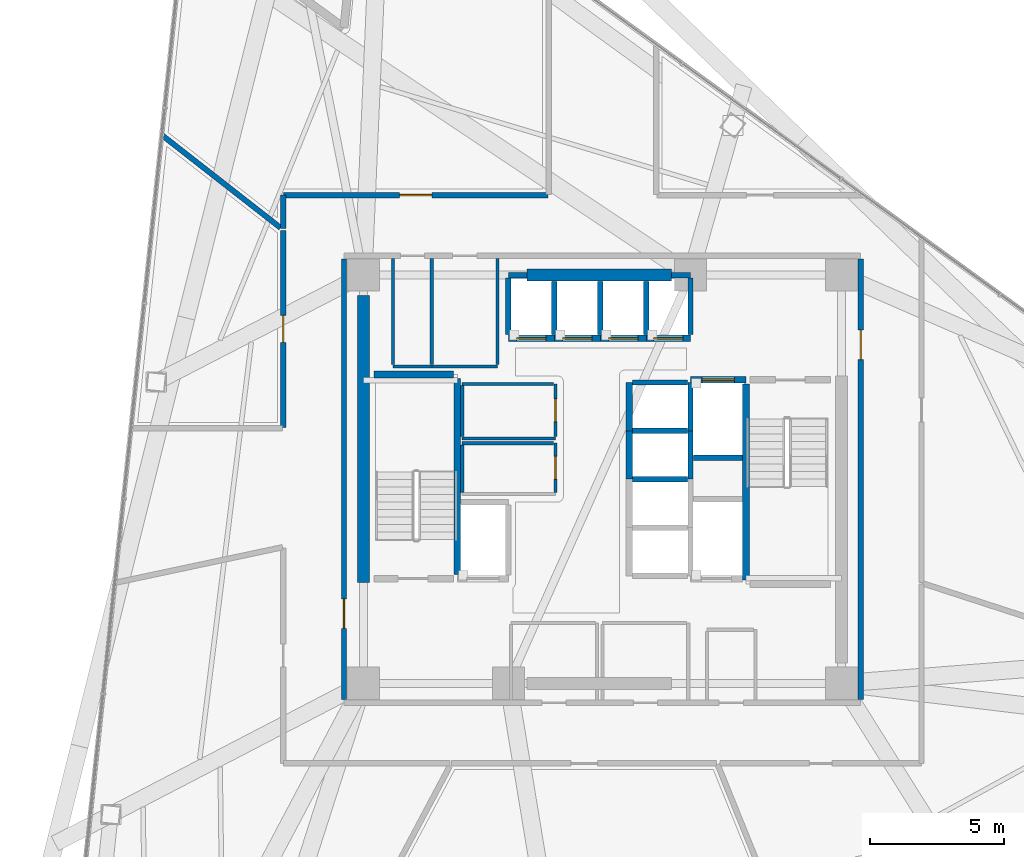
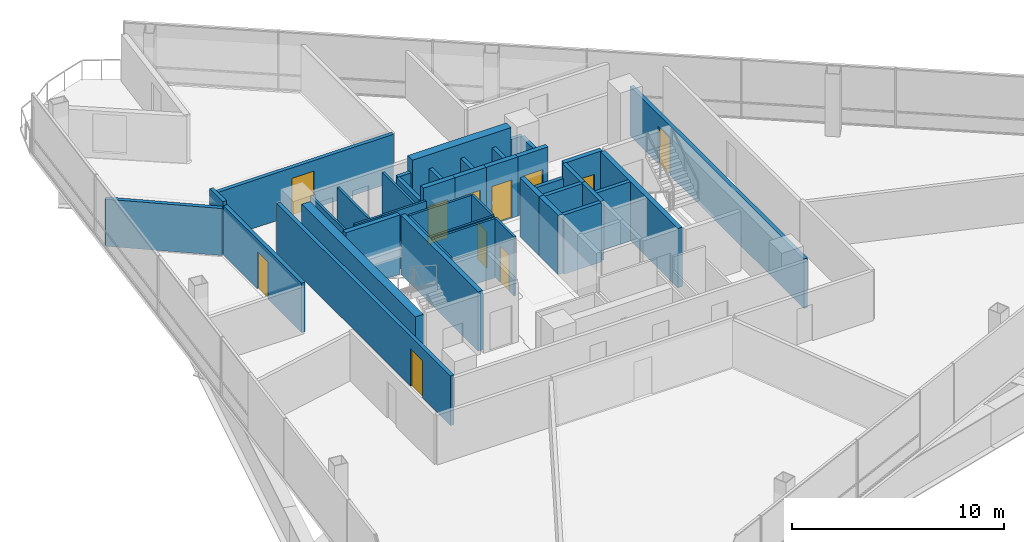
# One storey, part 12 of 17: 43 walls, 11 doors, 11 openings.
"""IFC4 building model written with IfcOpenShell, lengths in metres."""

from ifc_helpers import new_model, si_unit, direction, frame, frame_2d, origin, place, context, subcontext, project, spatial, rectangle, extrude, material, layer, layer_set, type_object, element, fill, save


model = new_model("IFC4")

# Units and contexts
model_context = context("Model", 3, precision=1e-05, world=origin(), true_north=direction((0.0, 1.0)))
body_context = subcontext(model_context, "Body", "Model", "MODEL_VIEW")
ifc_project = project(units=[si_unit("LENGTHUNIT", "METRE"), si_unit("AREAUNIT", "SQUARE_METRE"), si_unit("VOLUMEUNIT", "CUBIC_METRE"), si_unit("PLANEANGLEUNIT", "RADIAN"), si_unit("MASSUNIT", "GRAM", prefix="KILO")], contexts=[model_context])

# Site, building, storey
site_placement = place(None, origin())
site = spatial("IfcSite", under=ifc_project, at=site_placement, CompositionType="ELEMENT")
building_placement = place(site_placement, origin())
building = spatial("IfcBuilding", under=site, at=building_placement, Name="Tharavind Bronze Gate", CompositionType="ELEMENT")
storey_placement = place(building_placement, frame((0.0, 0.0, 112.449951171875)))
storey = spatial("IfcBuildingStorey", under=building, at=storey_placement, Name="L28", CompositionType="ELEMENT", Elevation=112.449951171875)

# Wall, opening, door
ifc_material_1 = material(Name="Aerated Concrete Block", Category="concrete")
ifc_layer_1 = layer(ifc_material_1, 0.199951171875)
ifc_layer_set_1 = layer_set([ifc_layer_1], Name="Aerated Concrete Block")
wall_type_1 = type_object("IfcWallType", Name="FIRE RATED PARTITION 200", PredefinedType="PARTITIONING", material=ifc_layer_set_1)
wall_1_placement = place(storey_placement, frame((-9.6201171875, 8.199951171875, 0.0), z_axis=(0.0, 0.0, 1.0), x_axis=(0.0, -1.0, 0.0)))
wall_1 = element("IfcWall", 1, at=wall_1_placement, inside=storey, type_object=wall_type_1, Name="L28 west core corridor wall", PredefinedType="PARTITIONING", context=body_context, shape_type="SweptSolid", body=[
    extrude(rectangle(XDim=16.39990234375, YDim=0.199951171875, at=frame_2d((8.199951171875, 0.0))), origin(), (0.0, 0.0, 1.0), 2.85498046875),
])
opening_1_placement = place(wall_1_placement, frame((12.64990234375, 0.0, 0.0)))
opening_1 = element("IfcOpeningElement", 2, at=opening_1_placement, cuts=wall_1, Name="Opening ID01", PredefinedType="OPENING", context=body_context, shape_type="SweptSolid", body=[
    extrude(rectangle(XDim=1.10009765625, YDim=2.14990234375, at=frame_2d((0.550048828125, 1.074951171875))), frame((0.0, 0.11009765625, 0.0), z_axis=(0.0, -1.0, 0.0), x_axis=(1.0, 0.0, 0.0)), (0.0, 0.0, 1.0), 0.219951171875),
])
ifc_material_2 = material(Name="Fire-Rated Steel", Category="steel")
door_type_1 = type_object("IfcDoorType", Name="STAIR CORE FIRE DOOR 1100X2150", OperationType="SINGLE_SWING_LEFT", PredefinedType="DOOR", material=ifc_material_2)
door_1_placement = place(opening_1_placement, frame((1.10009765625, 0.0, 0.0), z_axis=(0.0, 0.0, 1.0), x_axis=(-1.0, 0.0, 0.0)))
door_1 = element("IfcDoor", 3, at=door_1_placement, inside=storey, type_object=door_type_1, Name="L28 south west stair lobby fire door", OperationType="SINGLE_SWING_LEFT", OverallHeight=2.14990234375, OverallWidth=1.10009765625, PredefinedType="DOOR", context=body_context, shape_type="SweptSolid", body=[
    extrude(rectangle(XDim=1.10009765625, YDim=2.14990234375, at=frame_2d((0.550048828125, 1.074951171875))), frame((0.0, 0.02490234375, 0.0), z_axis=(0.0, -1.0, 0.0), x_axis=(1.0, 0.0, 0.0)), (0.0, 0.0, 1.0), 0.050048828125),
])
fill(opening_1, door_1)

wall_2_placement = place(storey_placement, frame((9.6201171875, -8.199951171875, 0.0), z_axis=(0.0, 0.0, 1.0), x_axis=(0.0, 1.0, 0.0)))
wall_2 = element("IfcWall", 4, at=wall_2_placement, inside=storey, type_object=wall_type_1, Name="L28 east core corridor wall", PredefinedType="PARTITIONING", context=body_context, shape_type="SweptSolid", body=[
    extrude(rectangle(XDim=16.39990234375, YDim=0.199951171875, at=frame_2d((8.199951171875, 0.0))), origin(), (0.0, 0.0, 1.0), 2.85498046875),
])
opening_2_placement = place(wall_2_placement, frame((12.64990234375, 0.0, 0.0)))
opening_2 = element("IfcOpeningElement", 5, at=opening_2_placement, cuts=wall_2, Name="Opening ID01", PredefinedType="OPENING", context=body_context, shape_type="SweptSolid", body=[
    extrude(rectangle(XDim=1.10009765625, YDim=2.14990234375, at=frame_2d((0.550048828125, 1.074951171875))), frame((0.0, 0.11009765625, 0.0), z_axis=(0.0, -1.0, 0.0), x_axis=(1.0, 0.0, 0.0)), (0.0, 0.0, 1.0), 0.219951171875),
])
door_2_placement = place(opening_2_placement, frame((1.10009765625, 0.0, 0.0), z_axis=(0.0, 0.0, 1.0), x_axis=(-1.0, 0.0, 0.0)))
door_2 = element("IfcDoor", 6, at=door_2_placement, inside=storey, type_object=door_type_1, Name="L28 north east stair lobby fire door", OperationType="SINGLE_SWING_LEFT", OverallHeight=2.14990234375, OverallWidth=1.10009765625, PredefinedType="DOOR", context=body_context, shape_type="SweptSolid", body=[
    extrude(rectangle(XDim=1.10009765625, YDim=2.14990234375, at=frame_2d((0.550048828125, 1.074951171875))), frame((0.0, 0.02490234375, 0.0), z_axis=(0.0, -1.0, 0.0), x_axis=(1.0, 0.0, 0.0)), (0.0, 0.0, 1.0), 0.050048828125),
])
fill(opening_2, door_2)

wall_3_placement = place(storey_placement, frame((-2.02490234375, 10.580078125, 0.0), z_axis=(0.0, 0.0, 1.0), x_axis=(-1.0, 0.0, 0.0)))
wall_3 = element("IfcWall", 7, at=wall_3_placement, inside=storey, type_object=wall_type_1, Name="L28 Media Briefing Room partition", PredefinedType="PARTITIONING", context=body_context, shape_type="SweptSolid", body=[
    extrude(rectangle(XDim=9.8544921875, YDim=0.199951171875, at=frame_2d((4.92724609375, 0.0))), origin(), (0.0, 0.0, 1.0), 2.755126953125),
])
opening_3_placement = place(wall_3_placement, frame((4.326904296875, 0.0, 0.0)))
opening_3 = element("IfcOpeningElement", 8, at=opening_3_placement, cuts=wall_3, Name="Opening ID05", PredefinedType="OPENING", context=body_context, shape_type="SweptSolid", body=[
    extrude(rectangle(XDim=1.199951171875, YDim=2.14990234375, at=frame_2d((0.60009765625, 1.074951171875))), frame((0.0, 0.11009765625, 0.0), z_axis=(0.0, -1.0, 0.0), x_axis=(1.0, 0.0, 0.0)), (0.0, 0.0, 1.0), 0.219951171875),
])
ifc_material_3 = material(Name="Acoustic Laminated Glass", Category="glass")
door_type_2 = type_object("IfcDoorType", Name="MEETING ROOM GLAZED DOOR 1200X2150", OperationType="SINGLE_SWING_LEFT", PredefinedType="DOOR", material=ifc_material_3)
door_3_placement = place(opening_3_placement, origin())
door_3 = element("IfcDoor", 9, at=door_3_placement, inside=storey, type_object=door_type_2, Name="L28 Media Briefing Room door", OperationType="SINGLE_SWING_LEFT", OverallHeight=2.14990234375, OverallWidth=1.199951171875, PredefinedType="DOOR", context=body_context, shape_type="SweptSolid", body=[
    extrude(rectangle(XDim=1.199951171875, YDim=2.14990234375, at=frame_2d((0.60009765625, 1.074951171875))), frame((0.0, 0.02490234375, 0.0), z_axis=(0.0, -1.0, 0.0), x_axis=(1.0, 0.0, 0.0)), (0.0, 0.0, 1.0), 0.050048828125),
])
fill(opening_3, door_3)

# Walls
wall_4_placement = place(storey_placement, frame((-11.8798828125, 10.579345703125, 0.0), z_axis=(0.0, 0.0, 1.0), x_axis=(0.0, -1.0, 0.0)))
element("IfcWall", 10, at=wall_4_placement, inside=storey, type_object=wall_type_1, Name="L28 Media Briefing Room partition", PredefinedType="PARTITIONING", context=body_context, shape_type="SweptSolid", body=[
    extrude(rectangle(XDim=1.246337890625, YDim=0.199951171875, at=frame_2d((0.623046875, 0.0))), origin(), (0.0, 0.0, 1.0), 3.045166015625),
])
wall_5_placement = place(storey_placement, frame((-11.985107421875, 9.36376953125, 0.0), z_axis=(0.0, 0.0, 1.0), x_axis=(-0.788004499682, 0.6156694799, 0.0)))
element("IfcWall", 11, at=wall_5_placement, inside=storey, type_object=wall_type_1, Name="L28 Media Briefing Room partition", PredefinedType="PARTITIONING", context=body_context, shape_type="SweptSolid", body=[
    extrude(rectangle(XDim=5.58740234375, YDim=0.199951171875, at=frame_2d((2.793701171875, 0.0))), origin(), (0.0, 0.0, 1.0), 2.705078125),
])

# Wall, opening, door
wall_6_placement = place(storey_placement, frame((-11.8798828125, 9.26953125, 0.0), z_axis=(0.0, 0.0, 1.0), x_axis=(0.0, -1.0, 0.0)))
wall_6 = element("IfcWall", 12, at=wall_6_placement, inside=storey, type_object=wall_type_1, Name="L28 Acoustic Focus Office partition", PredefinedType="PARTITIONING", context=body_context, shape_type="SweptSolid", body=[
    extrude(rectangle(XDim=7.344482421875, YDim=0.199951171875, at=frame_2d((3.67236328125, 0.0))), origin(), (0.0, 0.0, 1.0), 2.85498046875),
])
opening_4_placement = place(wall_6_placement, frame((3.172119140625, 0.0, 0.0)))
opening_4 = element("IfcOpeningElement", 13, at=opening_4_placement, cuts=wall_6, Name="Opening ID04", PredefinedType="OPENING", context=body_context, shape_type="SweptSolid", body=[
    extrude(rectangle(XDim=1.0, YDim=2.14990234375, at=frame_2d((0.5, 1.074951171875))), frame((0.0, 0.11009765625, 0.0), z_axis=(0.0, -1.0, 0.0), x_axis=(1.0, 0.0, 0.0)), (0.0, 0.0, 1.0), 0.219951171875),
])
ifc_material_4 = material(Name="Bronze Framed Acoustic Timber", Category="wood")
door_type_3 = type_object("IfcDoorType", Name="OFFICE TENANCY DOOR 1000X2150", OperationType="SINGLE_SWING_RIGHT", PredefinedType="DOOR", material=ifc_material_4)
door_4_placement = place(opening_4_placement, origin())
door_4 = element("IfcDoor", 14, at=door_4_placement, inside=storey, type_object=door_type_3, Name="L28 Acoustic Focus Office door", OperationType="SINGLE_SWING_RIGHT", OverallHeight=2.14990234375, OverallWidth=1.0, PredefinedType="DOOR", context=body_context, shape_type="SweptSolid", body=[
    extrude(rectangle(XDim=1.0, YDim=2.14990234375, at=frame_2d((0.5, 1.074951171875))), frame((0.0, 0.02490234375, 0.0), z_axis=(0.0, -1.0, 0.0), x_axis=(1.0, 0.0, 0.0)), (0.0, 0.0, 1.0), 0.050048828125),
])
fill(opening_4, door_4)

# Wall
ifc_material_5 = material(Name="Metal Stud Gypsum Partition", Category="gypsum")
ifc_layer_2 = layer(ifc_material_5, 0.1201171875)
ifc_layer_set_2 = layer_set([ifc_layer_2], Name="Metal Stud Gypsum Partition")
wall_type_2 = type_object("IfcWallType", Name="INTERIOR PARTITION WALL 120", PredefinedType="PARTITIONING", material=ifc_layer_set_2)
wall_7_placement = place(storey_placement, frame((-5.219970703125, 1.52001953125, 0.0), z_axis=(0.0, 0.0, 1.0), x_axis=(1.0, 0.0, 0.0)))
element("IfcWall", 15, at=wall_7_placement, inside=storey, type_object=wall_type_2, Name="L28 Cleaner Store Room partition 1", PredefinedType="PARTITIONING", context=body_context, shape_type="SweptSolid", body=[
    extrude(rectangle(XDim=3.469970703125, YDim=0.1201171875, at=frame_2d((1.73486328125, 0.0))), origin(), (0.0, 0.0, 1.0), 3.41015625),
])

# Wall, opening, door
wall_8_placement = place(storey_placement, frame((-1.75, 1.5849609375, 0.0), z_axis=(0.0, 0.0, 1.0), x_axis=(0.0, 1.0, 0.0)))
wall_8 = element("IfcWall", 16, at=wall_8_placement, inside=storey, type_object=wall_type_2, Name="L28 Cleaner Store Room partition 2", PredefinedType="PARTITIONING", context=body_context, shape_type="SweptSolid", body=[
    extrude(rectangle(XDim=1.965087890625, YDim=0.1201171875, at=frame_2d((0.982421875, 0.0))), origin(), (0.0, 0.0, 1.0), 3.41015625),
])
opening_5_placement = place(wall_8_placement, frame((0.556884765625, 0.0, 0.0)))
opening_5 = element("IfcOpeningElement", 17, at=opening_5_placement, cuts=wall_8, Name="Opening ID06", PredefinedType="OPENING", context=body_context, shape_type="SweptSolid", body=[
    extrude(rectangle(XDim=0.85009765625, YDim=2.10009765625, at=frame_2d((0.425048828125, 1.050048828125))), frame((0.0, 0.07005859375, 0.0), z_axis=(0.0, -1.0, 0.0), x_axis=(1.0, 0.0, 0.0)), (0.0, 0.0, 1.0), 0.1401171875),
])
ifc_material_6 = material(Name="Moisture-Resistant Timber", Category="wood")
door_type_4 = type_object("IfcDoorType", Name="BATHROOM PRIVACY DOOR 850X2100", OperationType="SINGLE_SWING_RIGHT", PredefinedType="DOOR", material=ifc_material_6)
door_5_placement = place(opening_5_placement, frame((0.85009765625, 0.0, 0.0), z_axis=(0.0, 0.0, 1.0), x_axis=(-1.0, 0.0, 0.0)))
door_5 = element("IfcDoor", 18, at=door_5_placement, inside=storey, type_object=door_type_4, Name="L28 Cleaner Store Room door", OperationType="SINGLE_SWING_RIGHT", OverallHeight=2.10009765625, OverallWidth=0.85009765625, PredefinedType="DOOR", context=body_context, shape_type="SweptSolid", body=[
    extrude(rectangle(XDim=0.85009765625, YDim=2.10009765625, at=frame_2d((0.425048828125, 1.050048828125))), frame((0.0, 0.02490234375, 0.0), z_axis=(0.0, -1.0, 0.0), x_axis=(1.0, 0.0, 0.0)), (0.0, 0.0, 1.0), 0.050048828125),
])
fill(opening_5, door_5)

# Walls
wall_9_placement = place(storey_placement, frame((-1.81494140625, 3.550048828125, 0.0), z_axis=(0.0, 0.0, 1.0), x_axis=(-1.0, 0.0, 0.0)))
element("IfcWall", 19, at=wall_9_placement, inside=storey, type_object=wall_type_2, Name="L28 Cleaner Store Room partition 3", PredefinedType="PARTITIONING", context=body_context, shape_type="SweptSolid", body=[
    extrude(rectangle(XDim=3.405029296875, YDim=0.1201171875, at=frame_2d((1.70263671875, 0.0))), origin(), (0.0, 0.0, 1.0), 3.41015625),
])
wall_10_placement = place(storey_placement, frame((-5.219970703125, 3.485107421875, 0.0), z_axis=(0.0, 0.0, 1.0), x_axis=(0.0, -1.0, 0.0)))
element("IfcWall", 20, at=wall_10_placement, inside=storey, type_object=wall_type_2, Name="L28 Cleaner Store Room partition 4", PredefinedType="PARTITIONING", context=body_context, shape_type="SweptSolid", body=[
    extrude(rectangle(XDim=1.900146484375, YDim=0.1201171875, at=frame_2d((0.9501953125, 0.0))), origin(), (0.0, 0.0, 1.0), 3.41015625),
])

# Wall, opening, door
wall_11_placement = place(storey_placement, frame((-1.75, -0.485107421875, 0.0), z_axis=(0.0, 0.0, 1.0), x_axis=(0.0, 1.0, 0.0)))
wall_11 = element("IfcWall", 21, at=wall_11_placement, inside=storey, type_object=wall_type_2, Name="L28 Electrical Switch Room partition 2", PredefinedType="PARTITIONING", context=body_context, shape_type="SweptSolid", body=[
    extrude(rectangle(XDim=1.8251953125, YDim=0.1201171875, at=frame_2d((0.91259765625, 0.0))), origin(), (0.0, 0.0, 1.0), 3.41015625),
])
opening_6_placement = place(wall_11_placement, frame((0.488037109375, 0.0, 0.0)))
opening_6 = element("IfcOpeningElement", 22, at=opening_6_placement, cuts=wall_11, Name="Opening ID06", PredefinedType="OPENING", context=body_context, shape_type="SweptSolid", body=[
    extrude(rectangle(XDim=0.85009765625, YDim=2.10009765625, at=frame_2d((0.425048828125, 1.050048828125))), frame((0.0, 0.07005859375, 0.0), z_axis=(0.0, -1.0, 0.0), x_axis=(1.0, 0.0, 0.0)), (0.0, 0.0, 1.0), 0.1401171875),
])
door_6_placement = place(opening_6_placement, frame((0.85009765625, 0.0, 0.0), z_axis=(0.0, 0.0, 1.0), x_axis=(-1.0, 0.0, 0.0)))
door_6 = element("IfcDoor", 23, at=door_6_placement, inside=storey, type_object=door_type_4, Name="L28 Electrical Switch Room door", OperationType="SINGLE_SWING_RIGHT", OverallHeight=2.10009765625, OverallWidth=0.85009765625, PredefinedType="DOOR", context=body_context, shape_type="SweptSolid", body=[
    extrude(rectangle(XDim=0.85009765625, YDim=2.10009765625, at=frame_2d((0.425048828125, 1.050048828125))), frame((0.0, 0.02490234375, 0.0), z_axis=(0.0, -1.0, 0.0), x_axis=(1.0, 0.0, 0.0)), (0.0, 0.0, 1.0), 0.050048828125),
])
fill(opening_6, door_6)

# Walls
wall_12_placement = place(storey_placement, frame((-1.81494140625, 1.340087890625, 0.0), z_axis=(0.0, 0.0, 1.0), x_axis=(-1.0, 0.0, 0.0)))
element("IfcWall", 24, at=wall_12_placement, inside=storey, type_object=wall_type_2, Name="L28 Electrical Switch Room partition 3", PredefinedType="PARTITIONING", context=body_context, shape_type="SweptSolid", body=[
    extrude(rectangle(XDim=3.405029296875, YDim=0.1201171875, at=frame_2d((1.70263671875, 0.0))), origin(), (0.0, 0.0, 1.0), 3.41015625),
])
wall_13_placement = place(storey_placement, frame((-5.219970703125, 1.27490234375, 0.0), z_axis=(0.0, 0.0, 1.0), x_axis=(0.0, -1.0, 0.0)))
element("IfcWall", 25, at=wall_13_placement, inside=storey, type_object=wall_type_2, Name="L28 Electrical Switch Room partition 4", PredefinedType="PARTITIONING", context=body_context, shape_type="SweptSolid", body=[
    extrude(rectangle(XDim=1.760009765625, YDim=0.1201171875, at=frame_2d((0.8798828125, 0.0))), origin(), (0.0, 0.0, 1.0), 3.41015625),
])
wall_14_placement = place(storey_placement, frame((-7.800048828125, 4.199951171875, 0.0), z_axis=(0.0, 0.0, 1.0), x_axis=(1.0, 0.0, 0.0)))
element("IfcWall", 26, at=wall_14_placement, inside=storey, type_object=wall_type_2, Name="L28 Battery Backup Cupboard partition 1", PredefinedType="PARTITIONING", context=body_context, shape_type="SweptSolid", body=[
    extrude(rectangle(XDim=1.449951171875, YDim=0.1201171875, at=frame_2d((0.72509765625, 0.0))), origin(), (0.0, 0.0, 1.0), 3.41015625),
])
for number, where, z_axis, x_axis, name in (
    (27, (-6.35009765625, 4.264892578125, 0.0), (0.0, 0.0, 1.0), (0.0, 1.0, 0.0), "L28 Battery Backup Cupboard partition 2"),
    (28, (-7.800048828125, 8.215087890625, 0.0), (0.0, 0.0, 1.0), (0.0, -1.0, 0.0), "L28 Battery Backup Cupboard partition 4"),
):
    element("IfcWall", number, at=place(storey_placement, frame(where, z_axis=z_axis, x_axis=x_axis)), inside=storey, type_object=wall_type_2, Name=name, PredefinedType="PARTITIONING", context=body_context, shape_type="SweptSolid", body=[
        extrude(rectangle(XDim=3.9501953125, YDim=0.1201171875, at=frame_2d((1.97509765625, 0.0))), origin(), (0.0, 0.0, 1.0), 2.60498046875),
    ])
wall_15_placement = place(storey_placement, frame((-6.35009765625, 4.199951171875, 0.0), z_axis=(0.0, 0.0, 1.0), x_axis=(1.0, 0.0, 0.0)))
element("IfcWall", 29, at=wall_15_placement, inside=storey, type_object=wall_type_2, Name="L28 Cleaner Store Room partition 1", PredefinedType="PARTITIONING", context=body_context, shape_type="SweptSolid", body=[
    extrude(rectangle(XDim=2.4501953125, YDim=0.1201171875, at=frame_2d((1.22509765625, 0.0))), origin(), (0.0, 0.0, 1.0), 3.41015625),
])
wall_16_placement = place(storey_placement, frame((-3.89990234375, 4.264892578125, 0.0), z_axis=(0.0, 0.0, 1.0), x_axis=(0.0, 1.0, 0.0)))
element("IfcWall", 30, at=wall_16_placement, inside=storey, type_object=wall_type_2, Name="L28 Cleaner Store Room partition 2", PredefinedType="PARTITIONING", context=body_context, shape_type="SweptSolid", body=[
    extrude(rectangle(XDim=3.9501953125, YDim=0.1201171875, at=frame_2d((1.97509765625, 0.0))), origin(), (0.0, 0.0, 1.0), 2.60498046875),
])
ifc_material_7 = material(Name="Concrete C50/60", Category="concrete")
ifc_layer_3 = layer(ifc_material_7, 0.25)
ifc_layer_set_3 = layer_set([ifc_layer_3], Name="Concrete C50/60")
wall_type_3 = type_object("IfcWallType", Name="RC CORE SHEAR WALL 250", PredefinedType="SHEAR", material=ifc_layer_set_3)
wall_17_placement = place(storey_placement, frame((-5.39990234375, -3.550048828125, 0.0), z_axis=(0.0, 0.0, 1.0), x_axis=(0.0, 1.0, 0.0)))
element("IfcWall", 31, at=wall_17_placement, inside=storey, type_object=wall_type_3, Name="L28 ST1 shaft east wall", PredefinedType="SHEAR", context=body_context, shape_type="SweptSolid", body=[
    extrude(rectangle(XDim=7.300048828125, YDim=0.25, at=frame_2d((3.64990234375, 0.0))), origin(), (0.0, 0.0, 1.0), 3.41015625),
])
wall_18_placement = place(storey_placement, frame((-8.5, 3.89990234375, 0.0), z_axis=(0.0, 0.0, 1.0), x_axis=(1.0, 0.0, 0.0)))
element("IfcWall", 32, at=wall_18_placement, inside=storey, type_object=wall_type_3, Name="L28 ST1 shaft north wall", PredefinedType="SHEAR", context=body_context, shape_type="SweptSolid", body=[
    extrude(rectangle(XDim=2.949951171875, YDim=0.25, at=frame_2d((1.47509765625, 0.0))), origin(), (0.0, 0.0, 1.0), 3.41015625),
])
wall_19_placement = place(storey_placement, frame((5.35009765625, -3.75, 0.0), z_axis=(0.0, 0.0, 1.0), x_axis=(0.0, 1.0, 0.0)))
element("IfcWall", 33, at=wall_19_placement, inside=storey, type_object=wall_type_3, Name="L28 ST2 shaft west wall", PredefinedType="SHEAR", context=body_context, shape_type="SweptSolid", body=[
    extrude(rectangle(XDim=7.300048828125, YDim=0.25, at=frame_2d((3.64990234375, 0.0))), origin(), (0.0, 0.0, 1.0), 3.41015625),
])

# Wall, opening, door
wall_20_placement = place(storey_placement, frame((-3.5, 5.25, 0.0), z_axis=(0.0, 0.0, 1.0), x_axis=(1.0, 0.0, 0.0)))
wall_20 = element("IfcWall", 34, at=wall_20_placement, inside=storey, type_object=wall_type_3, Name="L28 lift PL5 shaft front wall", PredefinedType="SHEAR", context=body_context, shape_type="SweptSolid", body=[
    extrude(rectangle(XDim=1.71240234375, YDim=0.25, at=frame_2d((0.856201171875, 0.0))), origin(), (0.0, 0.0, 1.0), 3.41015625),
])
opening_7_placement = place(wall_20_placement, frame((0.305908203125, 0.0, 0.0)))
opening_7 = element("IfcOpeningElement", 35, at=opening_7_placement, cuts=wall_20, Name="Opening LD01", PredefinedType="OPENING", context=body_context, shape_type="SweptSolid", body=[
    extrude(rectangle(XDim=1.10009765625, YDim=2.199951171875, at=frame_2d((0.550048828125, 1.10009765625))), frame((0.0, 0.135, 0.0), z_axis=(0.0, -1.0, 0.0), x_axis=(1.0, 0.0, 0.0)), (0.0, 0.0, 1.0), 0.27),
])
ifc_material_8 = material(Name="Brushed Bronze Stainless Steel", Category="steel")
door_type_5 = type_object("IfcDoorType", Name="LIFT LANDING SLIDING DOOR 1100X2200", OperationType="SLIDING_TO_LEFT", PredefinedType="DOOR", material=ifc_material_8)
door_7_placement = place(opening_7_placement, origin())
door_7 = element("IfcDoor", 36, at=door_7_placement, inside=storey, type_object=door_type_5, Name="L28 lift PL5 sliding landing door", OperationType="SLIDING_TO_LEFT", OverallHeight=2.199951171875, OverallWidth=1.10009765625, PredefinedType="DOOR", context=body_context, shape_type="SweptSolid", body=[
    extrude(rectangle(XDim=1.10009765625, YDim=2.199951171875, at=frame_2d((0.550048828125, 1.10009765625))), frame((0.0, 0.02490234375, 0.0), z_axis=(0.0, -1.0, 0.0), x_axis=(1.0, 0.0, 0.0)), (0.0, 0.0, 1.0), 0.050048828125),
])
fill(opening_7, door_7)

wall_21_placement = place(storey_placement, frame((-1.78759765625, 5.25, 0.0), z_axis=(0.0, 0.0, 1.0), x_axis=(1.0, 0.0, 0.0)))
wall_21 = element("IfcWall", 37, at=wall_21_placement, inside=storey, type_object=wall_type_3, Name="L28 lift PL6 shaft front wall", PredefinedType="SHEAR", context=body_context, shape_type="SweptSolid", body=[
    extrude(rectangle(XDim=1.712646484375, YDim=0.25, at=frame_2d((0.8564453125, 0.0))), origin(), (0.0, 0.0, 1.0), 3.41015625),
])
opening_8_placement = place(wall_21_placement, frame((0.305908203125, 0.0, 0.0)))
opening_8 = element("IfcOpeningElement", 38, at=opening_8_placement, cuts=wall_21, Name="Opening LD01", PredefinedType="OPENING", context=body_context, shape_type="SweptSolid", body=[
    extrude(rectangle(XDim=1.10009765625, YDim=2.199951171875, at=frame_2d((0.550048828125, 1.10009765625))), frame((0.0, 0.135, 0.0), z_axis=(0.0, -1.0, 0.0), x_axis=(1.0, 0.0, 0.0)), (0.0, 0.0, 1.0), 0.27),
])
door_8_placement = place(opening_8_placement, origin())
door_8 = element("IfcDoor", 39, at=door_8_placement, inside=storey, type_object=door_type_5, Name="L28 lift PL6 sliding landing door", OperationType="SLIDING_TO_LEFT", OverallHeight=2.199951171875, OverallWidth=1.10009765625, PredefinedType="DOOR", context=body_context, shape_type="SweptSolid", body=[
    extrude(rectangle(XDim=1.10009765625, YDim=2.199951171875, at=frame_2d((0.550048828125, 1.10009765625))), frame((0.0, 0.02490234375, 0.0), z_axis=(0.0, -1.0, 0.0), x_axis=(1.0, 0.0, 0.0)), (0.0, 0.0, 1.0), 0.050048828125),
])
fill(opening_8, door_8)

wall_22_placement = place(storey_placement, frame((-0.074951171875, 5.25, 0.0), z_axis=(0.0, 0.0, 1.0), x_axis=(1.0, 0.0, 0.0)))
wall_22 = element("IfcWall", 40, at=wall_22_placement, inside=storey, type_object=wall_type_3, Name="L28 lift PL7 shaft front wall", PredefinedType="SHEAR", context=body_context, shape_type="SweptSolid", body=[
    extrude(rectangle(XDim=1.71240234375, YDim=0.25, at=frame_2d((0.856201171875, 0.0))), origin(), (0.0, 0.0, 1.0), 3.41015625),
])
opening_9_placement = place(wall_22_placement, frame((0.305908203125, 0.0, 0.0)))
opening_9 = element("IfcOpeningElement", 41, at=opening_9_placement, cuts=wall_22, Name="Opening LD01", PredefinedType="OPENING", context=body_context, shape_type="SweptSolid", body=[
    extrude(rectangle(XDim=1.10009765625, YDim=2.199951171875, at=frame_2d((0.550048828125, 1.10009765625))), frame((0.0, 0.135, 0.0), z_axis=(0.0, -1.0, 0.0), x_axis=(1.0, 0.0, 0.0)), (0.0, 0.0, 1.0), 0.27),
])
door_9_placement = place(opening_9_placement, origin())
door_9 = element("IfcDoor", 42, at=door_9_placement, inside=storey, type_object=door_type_5, Name="L28 lift PL7 sliding landing door", OperationType="SLIDING_TO_LEFT", OverallHeight=2.199951171875, OverallWidth=1.10009765625, PredefinedType="DOOR", context=body_context, shape_type="SweptSolid", body=[
    extrude(rectangle(XDim=1.10009765625, YDim=2.199951171875, at=frame_2d((0.550048828125, 1.10009765625))), frame((0.0, 0.02490234375, 0.0), z_axis=(0.0, -1.0, 0.0), x_axis=(1.0, 0.0, 0.0)), (0.0, 0.0, 1.0), 0.050048828125),
])
fill(opening_9, door_9)

wall_23_placement = place(storey_placement, frame((1.637451171875, 5.25, 0.0), z_axis=(0.0, 0.0, 1.0), x_axis=(1.0, 0.0, 0.0)))
wall_23 = element("IfcWall", 43, at=wall_23_placement, inside=storey, type_object=wall_type_3, Name="L28 lift PL8 shaft front wall", PredefinedType="SHEAR", context=body_context, shape_type="SweptSolid", body=[
    extrude(rectangle(XDim=1.642578125, YDim=0.25, at=frame_2d((0.8212890625, 0.0))), origin(), (0.0, 0.0, 1.0), 3.41015625),
])
opening_10_placement = place(wall_23_placement, frame((0.27099609375, 0.0, 0.0)))
opening_10 = element("IfcOpeningElement", 44, at=opening_10_placement, cuts=wall_23, Name="Opening LD01", PredefinedType="OPENING", context=body_context, shape_type="SweptSolid", body=[
    extrude(rectangle(XDim=1.10009765625, YDim=2.199951171875, at=frame_2d((0.550048828125, 1.10009765625))), frame((0.0, 0.135, 0.0), z_axis=(0.0, -1.0, 0.0), x_axis=(1.0, 0.0, 0.0)), (0.0, 0.0, 1.0), 0.27),
])
door_10_placement = place(opening_10_placement, origin())
door_10 = element("IfcDoor", 45, at=door_10_placement, inside=storey, type_object=door_type_5, Name="L28 lift PL8 sliding landing door", OperationType="SLIDING_TO_LEFT", OverallHeight=2.199951171875, OverallWidth=1.10009765625, PredefinedType="DOOR", context=body_context, shape_type="SweptSolid", body=[
    extrude(rectangle(XDim=1.10009765625, YDim=2.199951171875, at=frame_2d((0.550048828125, 1.10009765625))), frame((0.0, 0.02490234375, 0.0), z_axis=(0.0, -1.0, 0.0), x_axis=(1.0, 0.0, 0.0)), (0.0, 0.0, 1.0), 0.050048828125),
])
fill(opening_10, door_10)

# Walls
for number, where, z_axis, x_axis, name in (
    (46, (1.0, 0.0, 0.0), (0.0, 0.0, 1.0), (0.0, 1.0, 0.0), "L28 lift PL11 shaft front wall"),
    (47, (1.0, 1.800048828125, 0.0), (0.0, 0.0, 1.0), (0.0, 1.0, 0.0), "L28 lift PL12 shaft front wall"),
):
    element("IfcWall", number, at=place(storey_placement, frame(where, z_axis=z_axis, x_axis=x_axis)), inside=storey, type_object=wall_type_3, Name=name, PredefinedType="SHEAR", context=body_context, shape_type="SweptSolid", body=[
        extrude(rectangle(XDim=1.800048828125, YDim=0.25, at=frame_2d((0.89990234375, 0.0))), origin(), (0.0, 0.0, 1.0), 3.41015625),
    ])

# Wall, opening, door
wall_24_placement = place(storey_placement, frame((3.280029296875, 3.699951171875, 0.0), z_axis=(0.0, 0.0, 1.0), x_axis=(1.0, 0.0, 0.0)))
wall_24 = element("IfcWall", 48, at=wall_24_placement, inside=storey, type_object=wall_type_3, Name="L28 lift FFL2 shaft front wall", PredefinedType="SHEAR", context=body_context, shape_type="SweptSolid", body=[
    extrude(rectangle(XDim=2.070068359375, YDim=0.25, at=frame_2d((1.03515625, 0.0))), origin(), (0.0, 0.0, 1.0), 3.41015625),
])
opening_11_placement = place(wall_24_placement, frame((0.43505859375, 0.0, 0.0)))
opening_11 = element("IfcOpeningElement", 49, at=opening_11_placement, cuts=wall_24, Name="Opening LD02", PredefinedType="OPENING", context=body_context, shape_type="SweptSolid", body=[
    extrude(rectangle(XDim=1.199951171875, YDim=2.199951171875, at=frame_2d((0.60009765625, 1.10009765625))), frame((0.0, 0.135, 0.0), z_axis=(0.0, -1.0, 0.0), x_axis=(1.0, 0.0, 0.0)), (0.0, 0.0, 1.0), 0.27),
])
ifc_material_9 = material(Name="Brushed Stainless Steel", Category="steel")
door_type_6 = type_object("IfcDoorType", Name="FIREFIGHTING LIFT LANDING DOOR 1200X2200", OperationType="SLIDING_TO_RIGHT", PredefinedType="DOOR", material=ifc_material_9)
door_11_placement = place(opening_11_placement, origin())
door_11 = element("IfcDoor", 50, at=door_11_placement, inside=storey, type_object=door_type_6, Name="L28 lift FFL2 sliding landing door", OperationType="SLIDING_TO_RIGHT", OverallHeight=2.199951171875, OverallWidth=1.199951171875, PredefinedType="DOOR", context=body_context, shape_type="SweptSolid", body=[
    extrude(rectangle(XDim=1.199951171875, YDim=2.199951171875, at=frame_2d((0.60009765625, 1.10009765625))), frame((0.0, 0.02490234375, 0.0), z_axis=(0.0, -1.0, 0.0), x_axis=(1.0, 0.0, 0.0)), (0.0, 0.0, 1.0), 0.050048828125),
])
fill(opening_11, door_11)

# Walls
ifc_material_10 = material(Name="Concrete C60/75", Category="concrete")
ifc_layer_4 = layer(ifc_material_10, 0.449951171875)
ifc_layer_set_4 = layer_set([ifc_layer_4], Name="Concrete C60/75")
wall_type_4 = type_object("IfcWallType", Name="RC CORE SHEAR WALL 450", PredefinedType="SHEAR", material=ifc_layer_set_4)
wall_25_placement = place(storey_placement, frame((-2.800048828125, 7.60009765625, 0.0), z_axis=(0.0, 0.0, 1.0), x_axis=(1.0, 0.0, 0.0)))
element("IfcWall", 51, at=wall_25_placement, inside=storey, type_object=wall_type_4, Name="L28 north core shear wall", PredefinedType="SHEAR", context=body_context, shape_type="SweptSolid", body=[
    extrude(rectangle(XDim=5.380126953125, YDim=0.449951171875, at=frame_2d((2.68994140625, 0.0))), origin(), (0.0, 0.0, 1.0), 3.41015625),
])
wall_26_placement = place(storey_placement, frame((-8.89990234375, -3.85009765625, 0.0), z_axis=(0.0, 0.0, 1.0), x_axis=(0.0, 1.0, 0.0)))
element("IfcWall", 52, at=wall_26_placement, inside=storey, type_object=wall_type_4, Name="L28 west core shear wall", PredefinedType="SHEAR", context=body_context, shape_type="SweptSolid", body=[
    extrude(rectangle(XDim=10.7001953125, YDim=0.449951171875, at=frame_2d((5.35009765625, 0.0))), origin(), (0.0, 0.0, 1.0), 3.41015625),
])
ifc_material_11 = material(Name="Concrete C40/50", Category="concrete")
ifc_layer_5 = layer(ifc_material_11, 0.199951171875)
ifc_layer_set_5 = layer_set([ifc_layer_5], Name="Concrete C40/50")
wall_type_5 = type_object("IfcWallType", Name="SHAFT ENCLOSURE WALL 200", PredefinedType="PARTITIONING", material=ifc_layer_set_5)
wall_27_placement = place(storey_placement, frame((-3.5, 7.60009765625, 0.0), z_axis=(0.0, 0.0, 1.0), x_axis=(1.0, 0.0, 0.0)))
element("IfcWall", 53, at=wall_27_placement, inside=storey, type_object=wall_type_5, Name="L28 lift PL5 shaft N enclosure wall", PredefinedType="PARTITIONING", context=body_context, shape_type="SweptSolid", body=[
    extrude(rectangle(XDim=0.699951171875, YDim=0.199951171875, at=frame_2d((0.35009765625, 0.0))), origin(), (0.0, 0.0, 1.0), 2.60498046875),
])
wall_28_placement = place(storey_placement, frame((-3.5, 5.3798828125, 0.0), z_axis=(0.0, 0.0, 1.0), x_axis=(0.0, 1.0, 0.0)))
element("IfcWall", 54, at=wall_28_placement, inside=storey, type_object=wall_type_5, Name="L28 lift PL5 shaft W enclosure wall", PredefinedType="PARTITIONING", context=body_context, shape_type="SweptSolid", body=[
    extrude(rectangle(XDim=2.115234375, YDim=0.199951171875, at=frame_2d((1.0576171875, 0.0))), origin(), (0.0, 0.0, 1.0), 2.60498046875),
])
for number, where, z_axis, x_axis, name in (
    (55, (-1.78759765625, 5.3798828125, 0.0), (0.0, 0.0, 1.0), (0.0, 1.0, 0.0), "L28 lift PL5 shaft E enclosure wall"),
    (56, (-0.074951171875, 5.3798828125, 0.0), (0.0, 0.0, 1.0), (0.0, 1.0, 0.0), "L28 lift PL6 shaft E enclosure wall"),
    (57, (1.637451171875, 5.3798828125, 0.0), (0.0, 0.0, 1.0), (0.0, 1.0, 0.0), "L28 lift PL7 shaft E enclosure wall"),
):
    element("IfcWall", number, at=place(storey_placement, frame(where, z_axis=z_axis, x_axis=x_axis)), inside=storey, type_object=wall_type_5, Name=name, PredefinedType="PARTITIONING", context=body_context, shape_type="SweptSolid", body=[
        extrude(rectangle(XDim=1.990234375, YDim=0.199951171875, at=frame_2d((0.9951171875, 0.0))), origin(), (0.0, 0.0, 1.0), 2.60498046875),
    ])
wall_29_placement = place(storey_placement, frame((2.580078125, 7.60009765625, 0.0), z_axis=(0.0, 0.0, 1.0), x_axis=(1.0, 0.0, 0.0)))
element("IfcWall", 58, at=wall_29_placement, inside=storey, type_object=wall_type_5, Name="L28 lift PL8 shaft N enclosure wall", PredefinedType="PARTITIONING", context=body_context, shape_type="SweptSolid", body=[
    extrude(rectangle(XDim=0.699951171875, YDim=0.199951171875, at=frame_2d((0.35009765625, 0.0))), origin(), (0.0, 0.0, 1.0), 2.60498046875),
])
wall_30_placement = place(storey_placement, frame((3.280029296875, 5.3798828125, 0.0), z_axis=(0.0, 0.0, 1.0), x_axis=(0.0, 1.0, 0.0)))
element("IfcWall", 59, at=wall_30_placement, inside=storey, type_object=wall_type_5, Name="L28 lift PL8 shaft E enclosure wall", PredefinedType="PARTITIONING", context=body_context, shape_type="SweptSolid", body=[
    extrude(rectangle(XDim=2.115234375, YDim=0.199951171875, at=frame_2d((1.0576171875, 0.0))), origin(), (0.0, 0.0, 1.0), 2.60498046875),
])
wall_31_placement = place(storey_placement, frame((1.1298828125, 0.0, 0.0), z_axis=(0.0, 0.0, 1.0), x_axis=(1.0, 0.0, 0.0)))
element("IfcWall", 60, at=wall_31_placement, inside=storey, type_object=wall_type_5, Name="L28 lift PL10 shaft N enclosure wall", PredefinedType="PARTITIONING", context=body_context, shape_type="SweptSolid", body=[
    extrude(rectangle(XDim=2.045166015625, YDim=0.199951171875, at=frame_2d((1.0224609375, 0.0))), origin(), (0.0, 0.0, 1.0), 3.41015625),
])
wall_32_placement = place(storey_placement, frame((3.280029296875, 0.0, 0.0), z_axis=(0.0, 0.0, 1.0), x_axis=(0.0, 1.0, 0.0)))
element("IfcWall", 61, at=wall_32_placement, inside=storey, type_object=wall_type_5, Name="L28 lift PL11 shaft E enclosure wall", PredefinedType="PARTITIONING", context=body_context, shape_type="SweptSolid", body=[
    extrude(rectangle(XDim=1.800048828125, YDim=0.199951171875, at=frame_2d((0.89990234375, 0.0))), origin(), (0.0, 0.0, 1.0), 3.41015625),
])
wall_33_placement = place(storey_placement, frame((1.1298828125, 1.800048828125, 0.0), z_axis=(0.0, 0.0, 1.0), x_axis=(1.0, 0.0, 0.0)))
element("IfcWall", 62, at=wall_33_placement, inside=storey, type_object=wall_type_5, Name="L28 lift PL11 shaft N enclosure wall", PredefinedType="PARTITIONING", context=body_context, shape_type="SweptSolid", body=[
    extrude(rectangle(XDim=2.045166015625, YDim=0.199951171875, at=frame_2d((1.0224609375, 0.0))), origin(), (0.0, 0.0, 1.0), 3.41015625),
])
wall_34_placement = place(storey_placement, frame((3.280029296875, 1.800048828125, 0.0), z_axis=(0.0, 0.0, 1.0), x_axis=(0.0, 1.0, 0.0)))
element("IfcWall", 63, at=wall_34_placement, inside=storey, type_object=wall_type_5, Name="L28 lift PL12 shaft E enclosure wall", PredefinedType="PARTITIONING", context=body_context, shape_type="SweptSolid", body=[
    extrude(rectangle(XDim=1.800048828125, YDim=0.199951171875, at=frame_2d((0.89990234375, 0.0))), origin(), (0.0, 0.0, 1.0), 3.41015625),
])
wall_35_placement = place(storey_placement, frame((1.1298828125, 3.60009765625, 0.0), z_axis=(0.0, 0.0, 1.0), x_axis=(1.0, 0.0, 0.0)))
element("IfcWall", 64, at=wall_35_placement, inside=storey, type_object=wall_type_5, Name="L28 lift PL12 shaft N enclosure wall", PredefinedType="PARTITIONING", context=body_context, shape_type="SweptSolid", body=[
    extrude(rectangle(XDim=2.045166015625, YDim=0.199951171875, at=frame_2d((1.0224609375, 0.0))), origin(), (0.0, 0.0, 1.0), 2.60498046875),
])
wall_36_placement = place(storey_placement, frame((3.385009765625, 0.800048828125, 0.0), z_axis=(0.0, 0.0, 1.0), x_axis=(1.0, 0.0, 0.0)))
element("IfcWall", 65, at=wall_36_placement, inside=storey, type_object=wall_type_5, Name="L28 lift FFL2 shaft S enclosure wall", PredefinedType="PARTITIONING", context=body_context, shape_type="SweptSolid", body=[
    extrude(rectangle(XDim=1.8349609375, YDim=0.199951171875, at=frame_2d((0.91748046875, 0.0))), origin(), (0.0, 0.0, 1.0), 3.41015625),
])

save(model, "model.ifc")
